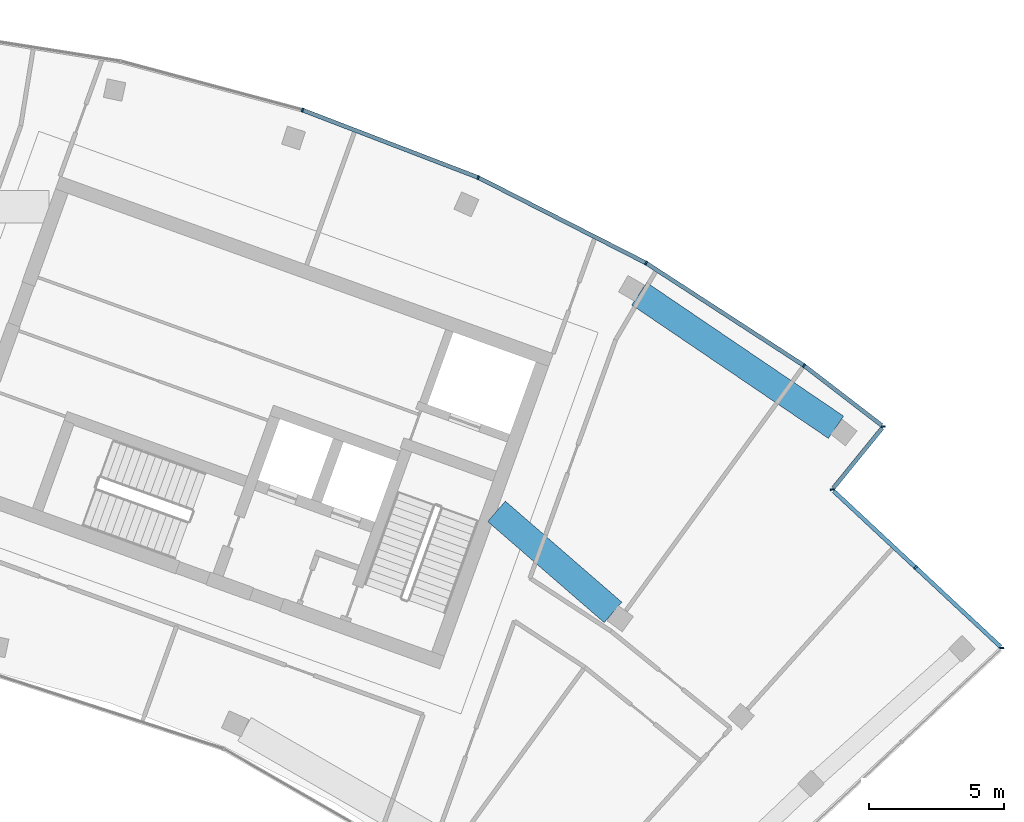
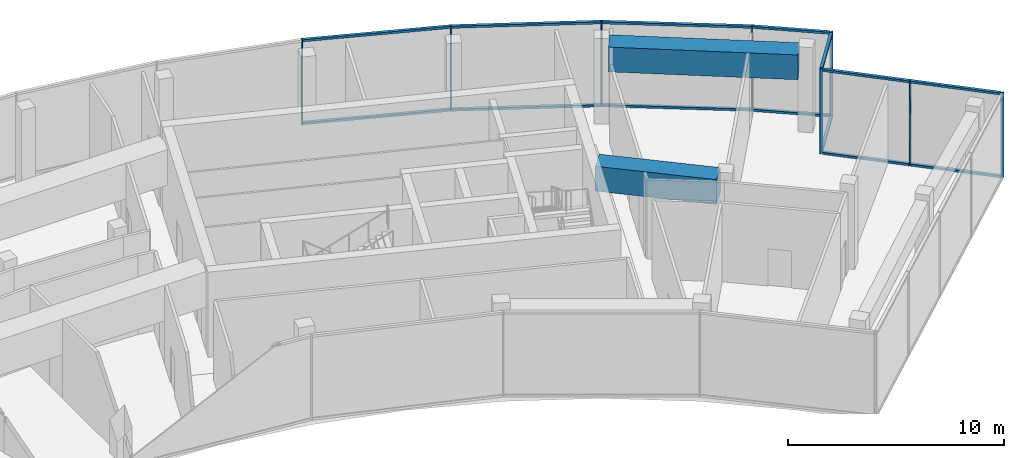
# One storey, part 10 of 17: 22 members, 2 beams, 3 elements without a shape of their own.
"""IFC4 building model written with IfcOpenShell, lengths in metres."""

from ifc_helpers import new_model, si_unit, direction, frame, origin, origin_2d, place, context, subcontext, project, spatial, rectangle, extrude, material, layer, layer_set, material_profile, profile_set, type_object, element, aggregate, save


model = new_model("IFC4")

# Units and contexts
model_context = context("Model", 3, precision=1e-05, world=origin(), true_north=direction((0.0, 1.0)))
body_context = subcontext(model_context, "Body", "Model", "MODEL_VIEW")
ifc_project = project(units=[si_unit("LENGTHUNIT", "METRE"), si_unit("AREAUNIT", "SQUARE_METRE"), si_unit("VOLUMEUNIT", "CUBIC_METRE"), si_unit("PLANEANGLEUNIT", "RADIAN"), si_unit("MASSUNIT", "GRAM", prefix="KILO")], contexts=[model_context])

# Site, building, storey
site_placement = place(None, origin())
site = spatial("IfcSite", under=ifc_project, at=site_placement, CompositionType="ELEMENT")
building_placement = place(site_placement, origin())
building = spatial("IfcBuilding", under=site, at=building_placement, Name="Stone Belt Terrace Tower", CompositionType="ELEMENT")
storey_placement = place(building_placement, frame((0.0, 0.0, 318.199951171875)))
storey = spatial("IfcBuildingStorey", under=building, at=storey_placement, Name="L77", CompositionType="ELEMENT", Elevation=318.199951171875)

# Curtain wall, members
ifc_material_1 = material(Name="Aluminium 6063-T6 anodised frame", Category="aluminium")
ifc_layer = layer(ifc_material_1, 0.14990234375)
ifc_layer_set = layer_set([ifc_layer], Name="CW-C stick curtain wall, horn ends and notches")
curtain_wall_type = type_object("IfcCurtainWallType", Name="CW-C stick curtain wall, horn ends and notches", PredefinedType="NOTDEFINED", material=ifc_layer_set)
curtain_wall_1_placement = place(storey_placement, origin())
curtain_wall_1 = element("IfcCurtainWall", 1, at=curtain_wall_1_placement, inside=storey, type_object=curtain_wall_type, Name="CW-C notch face L77", PredefinedType="NOTDEFINED")
ifc_material_profile_1 = material_profile(ifc_material_1, rectangle(XDim=0.14990234375, YDim=0.06005859375, at=origin_2d()), Name="Aluminium 6063-T6 60x150")
ifc_profile_set_1 = profile_set([ifc_material_profile_1], Name="Aluminium 6063-T6 anodised frame")
member_type_1 = type_object("IfcMemberType", Name="CW-C mullion 60 x 150", PredefinedType="MULLION", material=ifc_profile_set_1)
member_1_placement = place(storey_placement, frame((46.458740234375, 43.405517578125, 0.0), z_axis=(0.0, 0.0, 1.0), x_axis=(-0.999999447771, -0.00105093149, 0.0)))
member_1 = element("IfcMember", 2, at=member_1_placement, type_object=member_type_1, Name="CW-C mullion 1", PredefinedType="MULLION", context=body_context, shape_type="SweptSolid", body=[
    extrude(rectangle(XDim=0.14990234375, YDim=0.06005859375, at=origin_2d()), origin(), (0.0, 0.0, 1.0), 4.800048828125),
])
member_2_placement = place(storey_placement, frame((43.260009765625, 46.388671875, 0.0), z_axis=(0.0, 0.0, 1.0), x_axis=(-0.682013767261, -0.731339333871, 0.0)))
member_2 = element("IfcMember", 3, at=member_2_placement, type_object=member_type_1, Name="CW-C mullion 2", PredefinedType="MULLION", context=body_context, shape_type="SweptSolid", body=[
    extrude(rectangle(XDim=0.14990234375, YDim=0.06005859375, at=origin_2d()), origin(), (0.0, 0.0, 1.0), 4.800048828125),
])

# Curtain wall, member
curtain_wall_2_placement = place(storey_placement, origin())
curtain_wall_2 = element("IfcCurtainWall", 4, at=curtain_wall_2_placement, inside=storey, type_object=curtain_wall_type, Name="CW-C notch face L77", PredefinedType="NOTDEFINED")
member_3_placement = place(storey_placement, frame((40.1708984375, 49.269287109375, 0.0), z_axis=(0.0, 0.0, 1.0), x_axis=(-0.997639702696, -0.068666029474, 0.0)))
member_3 = element("IfcMember", 5, at=member_3_placement, type_object=member_type_1, Name="CW-C mullion 1", PredefinedType="MULLION", context=body_context, shape_type="SweptSolid", body=[
    extrude(rectangle(XDim=0.14990234375, YDim=0.06005859375, at=origin_2d()), origin(), (0.0, 0.0, 1.0), 4.800048828125),
])

# Curtain wall, members
curtain_wall_3_placement = place(storey_placement, origin())
curtain_wall_3 = element("IfcCurtainWall", 6, at=curtain_wall_3_placement, inside=storey, type_object=curtain_wall_type, Name="CW-C convex face L77", PredefinedType="NOTDEFINED")
member_4_placement = place(storey_placement, frame((42.068359375, 51.60205078125, 0.0), z_axis=(0.0, 0.0, 1.0), x_axis=(-0.993258004644, -0.115924700604, 0.0)))
member_4 = element("IfcMember", 7, at=member_4_placement, type_object=member_type_1, Name="CW-C mullion 1", PredefinedType="MULLION", context=body_context, shape_type="SweptSolid", body=[
    extrude(rectangle(XDim=0.14990234375, YDim=0.06005859375, at=origin_2d()), origin(), (0.0, 0.0, 1.0), 4.800048828125),
])
member_5_placement = place(storey_placement, frame((39.131103515625, 53.86083984375, 0.0), z_axis=(0.0, 0.0, 1.0), x_axis=(-0.577587125789, -0.816329046477, 0.0)))
member_5 = element("IfcMember", 8, at=member_5_placement, type_object=member_type_1, Name="CW-C mullion 2", PredefinedType="MULLION", context=body_context, shape_type="SweptSolid", body=[
    extrude(rectangle(XDim=0.14990234375, YDim=0.06005859375, at=origin_2d()), origin(), (0.0, 0.0, 1.0), 4.800048828125),
])
member_6_placement = place(storey_placement, frame((33.28759765625, 57.65576171875, 0.0), z_axis=(0.0, 0.0, 1.0), x_axis=(-0.5, -0.866025403784, 0.0)))
member_6 = element("IfcMember", 9, at=member_6_placement, type_object=member_type_1, Name="CW-C mullion 3", PredefinedType="MULLION", context=body_context, shape_type="SweptSolid", body=[
    extrude(rectangle(XDim=0.14990234375, YDim=0.06005859375, at=origin_2d()), origin(), (0.0, 0.0, 1.0), 4.800048828125),
])
member_7_placement = place(storey_placement, frame((27.07861328125, 60.8193359375, 0.0), z_axis=(0.0, 0.0, 1.0), x_axis=(-0.406736643076, -0.913545457643, 0.0)))
member_7 = element("IfcMember", 10, at=member_7_placement, type_object=member_type_1, Name="CW-C mullion 4", PredefinedType="MULLION", context=body_context, shape_type="SweptSolid", body=[
    extrude(rectangle(XDim=0.14990234375, YDim=0.06005859375, at=origin_2d()), origin(), (0.0, 0.0, 1.0), 4.800048828125),
])
member_8_placement = place(storey_placement, frame((20.57275390625, 63.316650390625, 0.0), z_axis=(0.0, 0.0, 1.0), x_axis=(-0.309016994375, -0.951056516295, 0.0)))
member_8 = element("IfcMember", 11, at=member_8_placement, type_object=member_type_1, Name="CW-C mullion 5", PredefinedType="MULLION", context=body_context, shape_type="SweptSolid", body=[
    extrude(rectangle(XDim=0.14990234375, YDim=0.06005859375, at=origin_2d()), origin(), (0.0, 0.0, 1.0), 4.800048828125),
])

# Member
ifc_material_profile_2 = material_profile(ifc_material_1, rectangle(XDim=0.14990234375, YDim=0.1201171875, at=origin_2d()), Name="Aluminium 6063-T6 150x120")
ifc_profile_set_2 = profile_set([ifc_material_profile_2], Name="Aluminium 6063-T6 anodised frame")
member_type_2 = type_object("IfcMemberType", Name="CW-C transom 120 x 150", PredefinedType="USERDEFINED", material=ifc_profile_set_2)
member_9_placement = place(storey_placement, frame((46.40380859375, 43.456787109375, 0.06005859375), z_axis=(-0.731353784958, 0.681998270693, 0.0), x_axis=(-0.681998270693, -0.731353784958, 0.0)))
member_9 = element("IfcMember", 12, at=member_9_placement, type_object=member_type_2, Name="CW-C transom 1.1", ObjectType="TRANSOM", PredefinedType="USERDEFINED", context=body_context, shape_type="SweptSolid", body=[
    extrude(rectangle(XDim=0.14990234375, YDim=0.1201171875, at=origin_2d()), origin(), (0.0, 0.0, 1.0), 4.268798828125),
])

member_10_placement = place(storey_placement, frame((46.40380859375, 43.456787109375, 4.739990234375), z_axis=(-0.731353784958, 0.681998270693, 0.0), x_axis=(-0.681998270693, -0.731353784958, 0.0)))
member_10 = element("IfcMember", 13, at=member_10_placement, type_object=member_type_2, Name="CW-C transom 1.2", ObjectType="TRANSOM", PredefinedType="USERDEFINED", context=body_context, shape_type="SweptSolid", body=[
    extrude(rectangle(XDim=0.14990234375, YDim=0.1201171875, at=origin_2d()), origin(), (0.0, 0.0, 1.0), 4.268798828125),
])

member_11_placement = place(storey_placement, frame((43.238037109375, 46.4091796875, 0.06005859375), z_axis=(-0.731382255625, 0.681967738355, 0.0), x_axis=(-0.681967738355, -0.731382255625, 0.0)))
member_11 = element("IfcMember", 14, at=member_11_placement, type_object=member_type_2, Name="CW-C transom 2.1", ObjectType="TRANSOM", PredefinedType="USERDEFINED", context=body_context, shape_type="SweptSolid", body=[
    extrude(rectangle(XDim=0.14990234375, YDim=0.1201171875, at=origin_2d()), origin(), (0.0, 0.0, 1.0), 4.12060546875),
])

member_12_placement = place(storey_placement, frame((43.238037109375, 46.4091796875, 4.739990234375), z_axis=(-0.731382255625, 0.681967738355, 0.0), x_axis=(-0.681967738355, -0.731382255625, 0.0)))
member_12 = element("IfcMember", 15, at=member_12_placement, type_object=member_type_2, Name="CW-C transom 2.2", ObjectType="TRANSOM", PredefinedType="USERDEFINED", context=body_context, shape_type="SweptSolid", body=[
    extrude(rectangle(XDim=0.14990234375, YDim=0.1201171875, at=origin_2d()), origin(), (0.0, 0.0, 1.0), 4.12060546875),
])

aggregate(curtain_wall_1, [member_1, member_2, member_9, member_10, member_11, member_12])

member_13_placement = place(storey_placement, frame((40.217041015625, 49.325927734375, 0.06005859375), z_axis=(0.631026504781, 0.775761271439, 0.0), x_axis=(-0.775761271439, 0.631026504781, 0.0)))
member_13 = element("IfcMember", 16, at=member_13_placement, type_object=member_type_2, Name="CW-C transom 1.1", ObjectType="TRANSOM", PredefinedType="USERDEFINED", context=body_context, shape_type="SweptSolid", body=[
    extrude(rectangle(XDim=0.14990234375, YDim=0.1201171875, at=origin_2d()), origin(), (0.0, 0.0, 1.0), 2.859130859375),
])

member_14_placement = place(storey_placement, frame((40.217041015625, 49.325927734375, 4.739990234375), z_axis=(0.631026504781, 0.775761271439, 0.0), x_axis=(-0.775761271439, 0.631026504781, 0.0)))
member_14 = element("IfcMember", 17, at=member_14_placement, type_object=member_type_2, Name="CW-C transom 1.2", ObjectType="TRANSOM", PredefinedType="USERDEFINED", context=body_context, shape_type="SweptSolid", body=[
    extrude(rectangle(XDim=0.14990234375, YDim=0.1201171875, at=origin_2d()), origin(), (0.0, 0.0, 1.0), 2.859130859375),
])

aggregate(curtain_wall_2, [member_3, member_13, member_14])

member_15_placement = place(storey_placement, frame((42.00927734375, 51.6474609375, 0.06005859375), z_axis=(-0.79269461464, 0.609618936648, 0.0), x_axis=(-0.609618936648, -0.79269461464, 0.0)))
member_15 = element("IfcMember", 18, at=member_15_placement, type_object=member_type_2, Name="CW-C transom 1.1", ObjectType="TRANSOM", PredefinedType="USERDEFINED", context=body_context, shape_type="SweptSolid", body=[
    extrude(rectangle(XDim=0.14990234375, YDim=0.1201171875, at=origin_2d()), origin(), (0.0, 0.0, 1.0), 3.597900390625),
])

member_16_placement = place(storey_placement, frame((42.00927734375, 51.6474609375, 4.739990234375), z_axis=(-0.79269461464, 0.609618936648, 0.0), x_axis=(-0.609618936648, -0.79269461464, 0.0)))
member_16 = element("IfcMember", 19, at=member_16_placement, type_object=member_type_2, Name="CW-C transom 1.2", ObjectType="TRANSOM", PredefinedType="USERDEFINED", context=body_context, shape_type="SweptSolid", body=[
    extrude(rectangle(XDim=0.14990234375, YDim=0.1201171875, at=origin_2d()), origin(), (0.0, 0.0, 1.0), 3.597900390625),
])

member_17_placement = place(storey_placement, frame((39.103515625, 53.87890625, 0.06005859375), z_axis=(-0.83868440714, 0.544617723931, 0.0), x_axis=(-0.544617723931, -0.83868440714, 0.0)))
member_17 = element("IfcMember", 20, at=member_17_placement, type_object=member_type_2, Name="CW-C transom 2.1", ObjectType="TRANSOM", PredefinedType="USERDEFINED", context=body_context, shape_type="SweptSolid", body=[
    extrude(rectangle(XDim=0.14990234375, YDim=0.1201171875, at=origin_2d()), origin(), (0.0, 0.0, 1.0), 6.90087890625),
])

member_18_placement = place(storey_placement, frame((39.103515625, 53.87890625, 4.739990234375), z_axis=(-0.83868440714, 0.544617723931, 0.0), x_axis=(-0.544617723931, -0.83868440714, 0.0)))
member_18 = element("IfcMember", 21, at=member_18_placement, type_object=member_type_2, Name="CW-C transom 2.2", ObjectType="TRANSOM", PredefinedType="USERDEFINED", context=body_context, shape_type="SweptSolid", body=[
    extrude(rectangle(XDim=0.14990234375, YDim=0.1201171875, at=origin_2d()), origin(), (0.0, 0.0, 1.0), 6.90087890625),
])

member_19_placement = place(storey_placement, frame((33.25732421875, 57.671142578125, 0.06005859375), z_axis=(-0.891012226264, 0.453979308613, 0.0), x_axis=(-0.453979308613, -0.891012226264, 0.0)))
member_19 = element("IfcMember", 22, at=member_19_placement, type_object=member_type_2, Name="CW-C transom 3.1", ObjectType="TRANSOM", PredefinedType="USERDEFINED", context=body_context, shape_type="SweptSolid", body=[
    extrude(rectangle(XDim=0.14990234375, YDim=0.1201171875, at=origin_2d()), origin(), (0.0, 0.0, 1.0), 6.90087890625),
])

member_20_placement = place(storey_placement, frame((33.25732421875, 57.671142578125, 4.739990234375), z_axis=(-0.891012226264, 0.453979308613, 0.0), x_axis=(-0.453979308613, -0.891012226264, 0.0)))
member_20 = element("IfcMember", 23, at=member_20_placement, type_object=member_type_2, Name="CW-C transom 3.2", ObjectType="TRANSOM", PredefinedType="USERDEFINED", context=body_context, shape_type="SweptSolid", body=[
    extrude(rectangle(XDim=0.14990234375, YDim=0.1201171875, at=origin_2d()), origin(), (0.0, 0.0, 1.0), 6.90087890625),
])

member_21_placement = place(storey_placement, frame((27.046875, 60.83154296875, 0.06005859375), z_axis=(-0.933585210269, 0.358355487146, 0.0), x_axis=(-0.358355487146, -0.933585210269, 0.0)))
member_21 = element("IfcMember", 24, at=member_21_placement, type_object=member_type_2, Name="CW-C transom 4.1", ObjectType="TRANSOM", PredefinedType="USERDEFINED", context=body_context, shape_type="SweptSolid", body=[
    extrude(rectangle(XDim=0.14990234375, YDim=0.1201171875, at=origin_2d()), origin(), (0.0, 0.0, 1.0), 6.900634765625),
])

member_22_placement = place(storey_placement, frame((27.046875, 60.83154296875, 4.739990234375), z_axis=(-0.933585210269, 0.358355487146, 0.0), x_axis=(-0.358355487146, -0.933585210269, 0.0)))
member_22 = element("IfcMember", 25, at=member_22_placement, type_object=member_type_2, Name="CW-C transom 4.2", ObjectType="TRANSOM", PredefinedType="USERDEFINED", context=body_context, shape_type="SweptSolid", body=[
    extrude(rectangle(XDim=0.14990234375, YDim=0.1201171875, at=origin_2d()), origin(), (0.0, 0.0, 1.0), 6.900634765625),
])

aggregate(curtain_wall_3, [member_4, member_5, member_6, member_7, member_8, member_15, member_16, member_17, member_18, member_19, member_20, member_21, member_22])

# Beams
ifc_material_2 = material(Name="Concrete B80", Category="concrete")
ifc_material_profile_3 = material_profile(ifc_material_2, rectangle(XDim=1.0, YDim=1.39990234375, at=origin_2d()), Name="RC 1000x1400")
ifc_profile_set_3 = profile_set([ifc_material_profile_3], Name="Concrete B80")
beam_type = type_object("IfcBeamType", Name="Transfer beam RC 1000x1400 B80", PredefinedType="BEAM", material=ifc_profile_set_3)
beam_1_placement = place(storey_placement, frame((27.751220703125, 48.466064453125, 3.75), z_axis=(0.755399683299, -0.655264311917, 0.0), x_axis=(0.655264311917, 0.755399683299, 0.0)))
element("IfcBeam", 26, at=beam_1_placement, inside=storey, type_object=beam_type, Name="Transfer beam L77 QWBe-Q28", PredefinedType="BEAM", context=body_context, shape_type="SweptSolid", body=[
    extrude(rectangle(XDim=1.0, YDim=1.39990234375, at=origin_2d()), origin(), (0.0, 0.0, 1.0), 5.70751953125),
])
beam_2_placement = place(storey_placement, frame((33.034912109375, 56.51806640625, 3.75), z_axis=(0.827471630352, -0.561507525294, 0.0), x_axis=(0.561507525294, 0.827471630352, 0.0)))
element("IfcBeam", 27, at=beam_2_placement, inside=storey, type_object=beam_type, Name="Transfer beam L77 RR27-RNB", PredefinedType="BEAM", context=body_context, shape_type="SweptSolid", body=[
    extrude(rectangle(XDim=1.0, YDim=1.39990234375, at=origin_2d()), origin(), (0.0, 0.0, 1.0), 8.798583984375),
])

save(model, "model.ifc")
